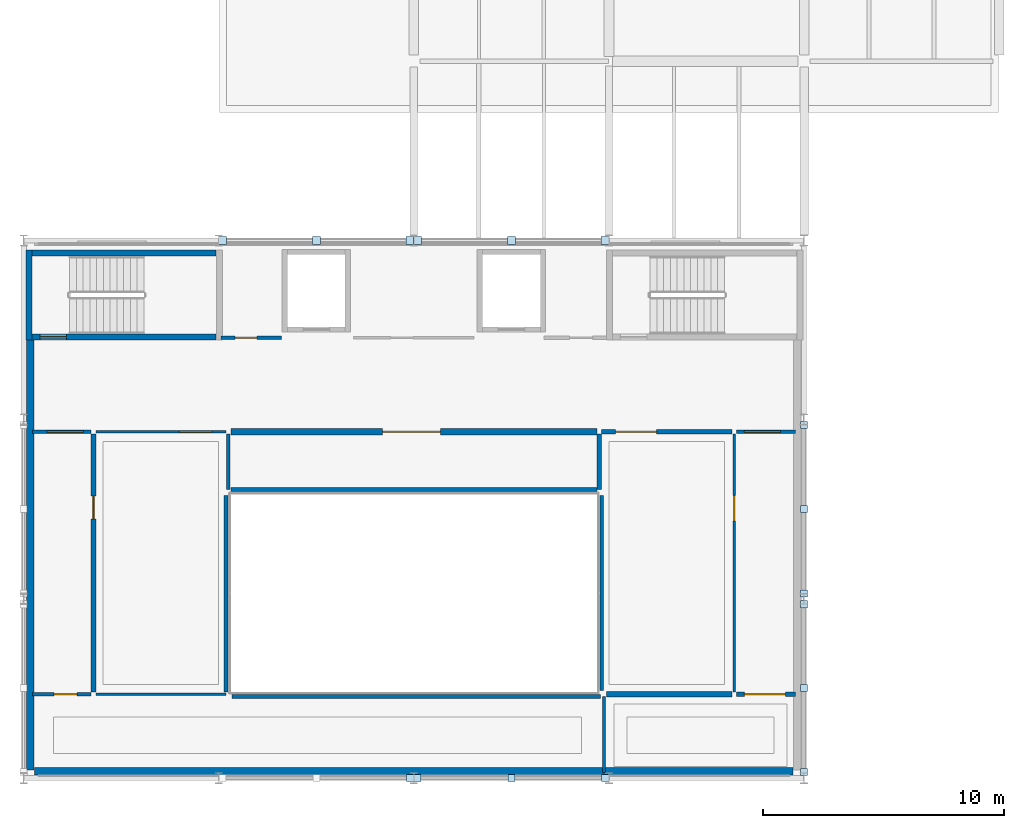
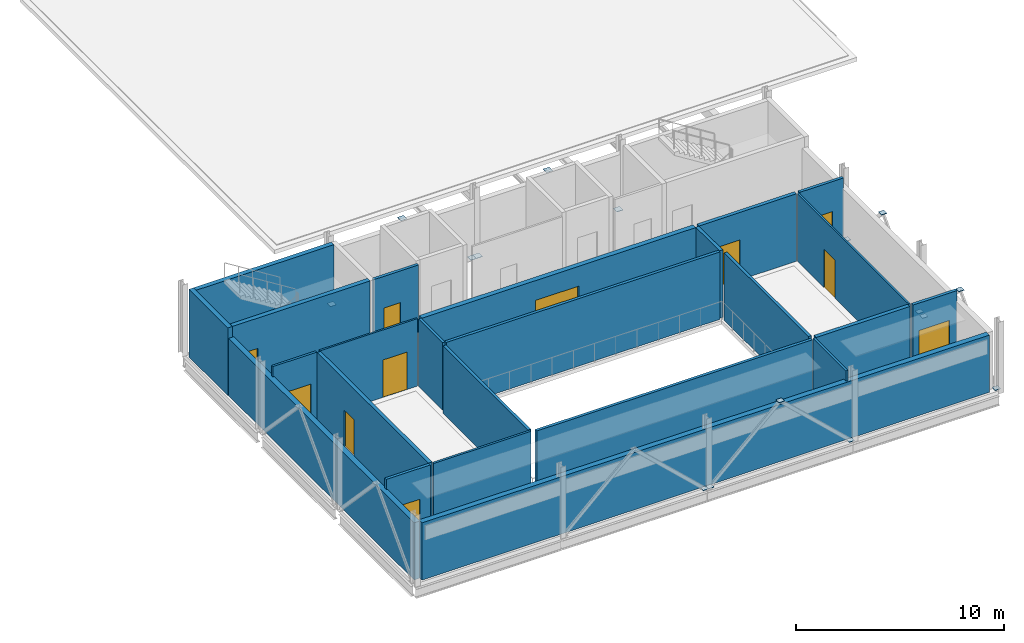
# One storey, part 3 of 7: 24 walls, 16 plates, 11 doors, 11 openings.
"""IFC4 building model written with IfcOpenShell, lengths in metres."""

from ifc_helpers import new_model, si_unit, direction, frame, frame_2d, origin, origin_2d, place, context, subcontext, project, spatial, rectangle, extrude, material, layer, layer_set, type_object, element, fill, save


model = new_model("IFC4")

# Units and contexts
model_context = context("Model", 3, precision=1e-05, world=origin(), true_north=direction((0.0, 1.0)))
body_context = subcontext(model_context, "Body", "Model", "MODEL_VIEW")
ifc_project = project(units=[si_unit("LENGTHUNIT", "METRE"), si_unit("AREAUNIT", "SQUARE_METRE"), si_unit("VOLUMEUNIT", "CUBIC_METRE"), si_unit("PLANEANGLEUNIT", "RADIAN"), si_unit("MASSUNIT", "GRAM", prefix="KILO")], contexts=[model_context])

# Site, building, storey
site_placement = place(None, origin())
site = spatial("IfcSite", under=ifc_project, at=site_placement, CompositionType="ELEMENT")
building_placement = place(site_placement, origin())
building = spatial("IfcBuilding", under=site, at=building_placement, Name="Kaelora Sail Theatre", CompositionType="ELEMENT")
storey_placement = place(building_placement, frame((0.0, 0.0, 23.39990234375)))
storey = spatial("IfcBuildingStorey", under=building, at=storey_placement, Name="L05", CompositionType="ELEMENT", Elevation=23.39990234375)

# Plates
ifc_material_1 = material(Name="Steel S355", Category="steel")
ifc_layer_1 = layer(ifc_material_1, 0.02587890625)
ifc_layer_set_1 = layer_set([ifc_layer_1], Name="Steel S355")
plate_type = type_object("IfcPlateType", Name="STR-PL-EP-26", PredefinedType="SHEET", material=ifc_layer_set_1)
for number, where, z_axis, x_axis, name in (
    (1, (58.199951171875, 61.27197265625, -0.001220703125), (0.0, 0.0, 1.0), (1.0, 0.0, 0.0), "Fly Tower chevron brace L05 ES1 end cap plate A"),
    (2, (58.199951171875, 64.762939453125, 3.675537109375), (0.0, 0.0, 1.0), (1.0, 0.0, 0.0), "Fly Tower chevron brace L05 ES1 end cap plate B"),
    (3, (58.199951171875, 68.238037109375, -0.001220703125), (0.0, 0.0, 1.0), (1.0, 0.0, 0.0), "Fly Tower chevron brace L05 ES2 end cap plate A"),
    (4, (58.199951171875, 68.681884765625, -0.001220703125), (0.0, 0.0, 1.0), (1.0, 0.0, 0.0), "Fly Tower chevron brace L05 EM1 end cap plate A"),
    (5, (58.199951171875, 72.18798828125, 3.675537109375), (0.0, 0.0, 1.0), (1.0, 0.0, 0.0), "Fly Tower chevron brace L05 EM1 end cap plate B"),
    (6, (58.199951171875, 75.677978515625, -0.001220703125), (0.0, 0.0, 1.0), (1.0, 0.0, 0.0), "Fly Tower chevron brace L05 EM2 end cap plate A"),
):
    element("IfcPlate", number, at=place(storey_placement, frame(where, z_axis=z_axis, x_axis=x_axis)), inside=storey, type_object=plate_type, Name=name, PredefinedType="SHEET", context=body_context, shape_type="SweptSolid", body=[
        extrude(rectangle(XDim=0.300048828125, YDim=0.300048828125, at=origin_2d()), origin(), (0.0, 0.0, 1.0), 0.02587890625),
    ])
for number, where, z_axis, x_axis, name in (
    (7, (34.051513671875, 83.340087890625, -0.0009765625), (0.0, 0.0, 1.0), (1.0, 0.0, 0.0), "Fly Tower north chevron brace L05 N2-1 end cap plate A"),
    (8, (37.95849609375, 83.340087890625, 3.67529296875), (0.0, 0.0, 1.0), (1.0, 0.0, 0.0), "Fly Tower north chevron brace L05 N2-1 end cap plate B"),
    (9, (41.8486328125, 83.340087890625, -0.0009765625), (0.0, 0.0, 1.0), (1.0, 0.0, 0.0), "Fly Tower north chevron brace L05 N2-2 end cap plate A"),
    (10, (42.1513671875, 83.340087890625, -0.0009765625), (0.0, 0.0, 1.0), (1.0, 0.0, 0.0), "Fly Tower north chevron brace L05 N3-1 end cap plate A"),
    (11, (46.05859375, 83.340087890625, 3.67529296875), (0.0, 0.0, 1.0), (1.0, 0.0, 0.0), "Fly Tower north chevron brace L05 N3-1 end cap plate B"),
    (12, (49.948486328125, 83.340087890625, -0.0009765625), (0.0, 0.0, 1.0), (1.0, 0.0, 0.0), "Fly Tower north chevron brace L05 N3-2 end cap plate A"),
):
    element("IfcPlate", number, at=place(storey_placement, frame(where, z_axis=z_axis, x_axis=x_axis)), inside=storey, type_object=plate_type, Name=name, PredefinedType="SHEET", context=body_context, shape_type="SweptSolid", body=[
        extrude(rectangle(XDim=0.340087890625, YDim=0.340087890625, at=origin_2d()), origin(), (0.0, 0.0, 1.0), 0.02587890625),
    ])
for number, where, z_axis, x_axis, name in (
    (13, (41.8486328125, 61.02001953125, -0.0009765625), (0.0, 0.0, 1.0), (1.0, 0.0, 0.0), "Fly Tower south stage-house chevron brace L05 S2-2 end cap plate A"),
    (14, (42.1513671875, 61.02001953125, -0.0009765625), (0.0, 0.0, 1.0), (1.0, 0.0, 0.0), "Fly Tower south stage-house chevron brace L05 S3-1 end cap plate A"),
    (15, (46.05859375, 61.02001953125, 3.67529296875), (0.0, 0.0, 1.0), (1.0, 0.0, 0.0), "Fly Tower south stage-house chevron brace L05 S3-1 end cap plate B"),
    (16, (49.948486328125, 61.02001953125, -0.0009765625), (0.0, 0.0, 1.0), (1.0, 0.0, 0.0), "Fly Tower south stage-house chevron brace L05 S3-2 end cap plate A"),
):
    element("IfcPlate", number, at=place(storey_placement, frame(where, z_axis=z_axis, x_axis=x_axis)), inside=storey, type_object=plate_type, Name=name, PredefinedType="SHEET", context=body_context, shape_type="SweptSolid", body=[
        extrude(rectangle(XDim=0.300048828125, YDim=0.300048828125, at=origin_2d()), origin(), (0.0, 0.0, 1.0), 0.02587890625),
    ])

# Wall, opening, door
ifc_material_2 = material(Name="Concrete C40/50", Category="concrete")
ifc_layer_2 = layer(ifc_material_2, 0.25)
ifc_layer_set_2 = layer_set([ifc_layer_2], Name="Concrete C40/50")
wall_type_1 = type_object("IfcWallType", Name="ARC-WL-CW-250", PredefinedType="SHEAR", material=ifc_layer_set_2)
wall_1_placement = place(storey_placement, frame((26.155029296875, 79.324951171875, 0.0), z_axis=(0.0, 0.0, 1.0), x_axis=(1.0, 0.0, 0.0)))
wall_1 = element("IfcWall", 17, at=wall_1_placement, inside=storey, type_object=wall_type_1, Name="Stair shaft ST-K1 wall L05-S", PredefinedType="SHEAR", context=body_context, shape_type="SweptSolid", body=[
    extrude(rectangle(XDim=7.639892578125, YDim=0.25, at=frame_2d((3.81982421875, 0.0))), origin(), (0.0, 0.0, 1.0), 3.97998046875),
])
opening_1_placement = place(wall_1_placement, frame((0.320068359375, 0.0, 0.0)))
opening_1 = element("IfcOpeningElement", 18, at=opening_1_placement, cuts=wall_1, Name="Opening FD-02", PredefinedType="OPENING", context=body_context, shape_type="SweptSolid", body=[
    extrude(rectangle(XDim=1.10009765625, YDim=2.199951171875, at=frame_2d((0.550048828125, 1.10009765625))), frame((0.0, 0.135, 0.0), z_axis=(0.0, -1.0, 0.0), x_axis=(1.0, 0.0, 0.0)), (0.0, 0.0, 1.0), 0.27),
])
ifc_material_3 = material(Name="Acoustic steel single stair/lobby fire door EI 90-C", Category="steel")
door_type_1 = type_object("IfcDoorType", Name="ARC-DR-FD-02", OperationType="NOTDEFINED", PredefinedType="DOOR", material=ifc_material_3)
door_1_placement = place(opening_1_placement, origin())
door_1 = element("IfcDoor", 19, at=door_1_placement, inside=storey, type_object=door_type_1, Name="Stair ST-K1 door (L05)", OperationType="SINGLE_SWING_RIGHT", OverallHeight=2.199951171875, OverallWidth=1.10009765625, PredefinedType="DOOR", context=body_context, shape_type="SweptSolid", body=[
    extrude(rectangle(XDim=1.10009765625, YDim=2.199951171875, at=frame_2d((0.550048828125, 1.10009765625))), frame((0.0, 0.02490234375, 0.0), z_axis=(0.0, -1.0, 0.0), x_axis=(1.0, 0.0, 0.0)), (0.0, 0.0, 1.0), 0.050048828125),
])
fill(opening_1, door_1)

# Walls
wall_2_placement = place(storey_placement, frame((26.155029296875, 82.824951171875, 0.0), z_axis=(0.0, 0.0, 1.0), x_axis=(1.0, 0.0, 0.0)))
element("IfcWall", 20, at=wall_2_placement, inside=storey, type_object=wall_type_1, Name="Stair shaft ST-K1 wall L05-N", PredefinedType="SHEAR", context=body_context, shape_type="SweptSolid", body=[
    extrude(rectangle(XDim=7.639892578125, YDim=0.25, at=frame_2d((3.81982421875, 0.0))), origin(), (0.0, 0.0, 1.0), 3.97998046875),
])
wall_3_placement = place(storey_placement, frame((26.02490234375, 79.199951171875, 0.0), z_axis=(0.0, 0.0, 1.0), x_axis=(0.0, 1.0, 0.0)))
element("IfcWall", 21, at=wall_3_placement, inside=storey, type_object=wall_type_1, Name="Stair shaft ST-K1 wall L05-W", PredefinedType="SHEAR", context=body_context, shape_type="SweptSolid", body=[
    extrude(rectangle(XDim=3.75, YDim=0.25, at=frame_2d((1.875, 0.0))), origin(), (0.0, 0.0, 1.0), 3.97998046875),
])
ifc_material_4 = material(Name="Concrete C40/50", Category="concrete")
ifc_layer_3 = layer(ifc_material_4, 0.300048828125)
ifc_layer_set_3 = layer_set([ifc_layer_3], Name="Concrete C40/50")
wall_type_2 = type_object("IfcWallType", Name="ARC-WL-EW-300", PredefinedType="SOLIDWALL", material=ifc_layer_set_3)
wall_4_placement = place(storey_placement, frame((26.080078125, 61.35009765625, 0.0), z_axis=(0.0, 0.0, 1.0), x_axis=(0.0, 1.0, 0.0)))
element("IfcWall", 22, at=wall_4_placement, inside=storey, type_object=wall_type_2, Name="Fly Tower West Acoustic Stage-House Wall (L05)", PredefinedType="SOLIDWALL", context=body_context, shape_type="SweptSolid", body=[
    extrude(rectangle(XDim=17.949951171875, YDim=0.300048828125, at=frame_2d((8.97509765625, 0.0))), origin(), (0.0, 0.0, 1.0), 3.360107421875),
])
wall_5_placement = place(storey_placement, frame((26.25, 61.300048828125, 0.0), z_axis=(0.0, 0.0, 1.0), x_axis=(1.0, 0.0, 0.0)))
element("IfcWall", 23, at=wall_5_placement, inside=storey, type_object=wall_type_2, Name="Fly Tower South Stage-House Wall (L05)", PredefinedType="SOLIDWALL", context=body_context, shape_type="SweptSolid", body=[
    extrude(rectangle(XDim=31.5, YDim=0.300048828125, at=frame_2d((15.75, 0.0))), origin(), (0.0, 0.0, 1.0), 3.360107421875),
])
ifc_material_5 = material(Name="Demountable acoustic studio wall 150 mm", Category="timber")
ifc_layer_4 = layer(ifc_material_5, 0.14990234375)
ifc_layer_set_4 = layer_set([ifc_layer_4], Name="Demountable acoustic studio wall 150 mm")
wall_type_3 = type_object("IfcWallType", Name="ARC-WL-MV-150", PredefinedType="MOVABLE", material=ifc_layer_set_4)
wall_6_placement = place(storey_placement, frame((34.300048828125, 73.0, 0.0), z_axis=(0.0, 0.0, 1.0), x_axis=(0.0, 1.0, 0.0)))
element("IfcWall", 24, at=wall_6_placement, inside=storey, type_object=wall_type_3, Name="Interior acoustic partition L05-FLY-CLD/L05-RIG-LAB", PredefinedType="MOVABLE", context=body_context, shape_type="SweptSolid", body=[
    extrude(rectangle(XDim=2.300048828125, YDim=0.14990234375, at=frame_2d((1.14990234375, 0.0))), origin(), (0.0, 0.0, 1.0), 3.960205078125),
])

# Wall, opening, door
ifc_material_6 = material(Name="Sanitary moisture-resistant partition 100 mm", Category="gypsum")
ifc_layer_5 = layer(ifc_material_6, 0.10009765625)
ifc_layer_set_5 = layer_set([ifc_layer_5], Name="Sanitary moisture-resistant partition 100 mm")
wall_type_4 = type_object("IfcWallType", Name="ARC-WL-PT-100", PredefinedType="PARTITIONING", material=ifc_layer_set_5)
wall_7_placement = place(storey_placement, frame((28.800048828125, 75.39990234375, 0.0), z_axis=(0.0, 0.0, 1.0), x_axis=(1.0, 0.0, 0.0)))
wall_7 = element("IfcWall", 25, at=wall_7_placement, inside=storey, type_object=wall_type_4, Name="Interior acoustic partition L05-FLY-CLD/L05-COR-FLY", PredefinedType="PARTITIONING", context=body_context, shape_type="SweptSolid", body=[
    extrude(rectangle(XDim=5.39990234375, YDim=0.10009765625, at=frame_2d((2.699951171875, 0.0))), origin(), (0.0, 0.0, 1.0), 3.960205078125),
])
opening_2_placement = place(wall_7_placement, frame((3.469970703125, 0.0, 0.0)))
opening_2 = element("IfcOpeningElement", 26, at=opening_2_placement, cuts=wall_7, Name="Opening ID-08", PredefinedType="OPENING", context=body_context, shape_type="SweptSolid", body=[
    extrude(rectangle(XDim=1.35009765625, YDim=2.199951171875, at=frame_2d((0.675048828125, 1.10009765625))), frame((0.0, 0.060049, 0.0), z_axis=(0.0, -1.0, 0.0), x_axis=(1.0, 0.0, 0.0)), (0.0, 0.0, 1.0), 0.120098),
])
ifc_material_7 = material(Name="Instrument & libretto leaf-and-a-half door", Category="steel")
door_type_2 = type_object("IfcDoorType", Name="ARC-DR-ID-08", OperationType="NOTDEFINED", PredefinedType="DOOR", material=ifc_material_7)
door_2_placement = place(opening_2_placement, origin())
door_2 = element("IfcDoor", 27, at=door_2_placement, inside=storey, type_object=door_type_2, Name="Interior door L05-FLY-CLD to L05-COR-FLY", OperationType="SINGLE_SWING_LEFT", OverallHeight=2.199951171875, OverallWidth=1.35009765625, PredefinedType="DOOR", context=body_context, shape_type="SweptSolid", body=[
    extrude(rectangle(XDim=1.35009765625, YDim=2.199951171875, at=frame_2d((0.675048828125, 1.10009765625))), frame((0.0, 0.02490234375, 0.0), z_axis=(0.0, -1.0, 0.0), x_axis=(1.0, 0.0, 0.0)), (0.0, 0.0, 1.0), 0.050048828125),
])
fill(opening_2, door_2)

wall_8_placement = place(storey_placement, frame((55.300048828125, 64.60009765625, 0.0), z_axis=(0.0, 0.0, 1.0), x_axis=(0.0, 1.0, 0.0)))
wall_8 = element("IfcWall", 28, at=wall_8_placement, inside=storey, type_object=wall_type_4, Name="Interior acoustic partition L05-FLY-CWT/L05-COR-E5", PredefinedType="PARTITIONING", context=body_context, shape_type="SweptSolid", body=[
    extrude(rectangle(XDim=10.699951171875, YDim=0.10009765625, at=frame_2d((5.35009765625, 0.0))), origin(), (0.0, 0.0, 1.0), 3.960205078125),
])
opening_3_placement = place(wall_8_placement, frame((7.095947265625, 0.0, 0.0)))
opening_3 = element("IfcOpeningElement", 29, at=opening_3_placement, cuts=wall_8, Name="Opening ID-06", PredefinedType="OPENING", context=body_context, shape_type="SweptSolid", body=[
    extrude(rectangle(XDim=1.050048828125, YDim=2.25, at=frame_2d((0.52490234375, 1.125))), frame((0.0, 0.060049, 0.0), z_axis=(0.0, -1.0, 0.0), x_axis=(1.0, 0.0, 0.0)), (0.0, 0.0, 1.0), 0.120098),
])
ifc_material_8 = material(Name="Soloist dressing acoustic timber door", Category="wood")
door_type_3 = type_object("IfcDoorType", Name="ARC-DR-ID-06", OperationType="NOTDEFINED", PredefinedType="DOOR", material=ifc_material_8)
door_3_placement = place(opening_3_placement, origin())
door_3 = element("IfcDoor", 30, at=door_3_placement, inside=storey, type_object=door_type_3, Name="Interior door L05-FLY-CWT to L05-COR-E5", OperationType="SINGLE_SWING_RIGHT", OverallHeight=2.25, OverallWidth=1.050048828125, PredefinedType="DOOR", context=body_context, shape_type="SweptSolid", body=[
    extrude(rectangle(XDim=1.050048828125, YDim=2.25, at=frame_2d((0.52490234375, 1.125))), frame((0.0, 0.02490234375, 0.0), z_axis=(0.0, -1.0, 0.0), x_axis=(1.0, 0.0, 0.0)), (0.0, 0.0, 1.0), 0.050048828125),
])
fill(opening_3, door_3)

# Wall
ifc_material_9 = material(Name="Standard metal-stud partition 120 mm", Category="gypsum")
ifc_layer_6 = layer(ifc_material_9, 0.1201171875)
ifc_layer_set_6 = layer_set([ifc_layer_6], Name="Standard metal-stud partition 120 mm")
wall_type_5 = type_object("IfcWallType", Name="ARC-WL-PT-120", PredefinedType="PARTITIONING", material=ifc_layer_set_6)
wall_9_placement = place(storey_placement, frame((28.800048828125, 64.5, 0.0), z_axis=(0.0, 0.0, 1.0), x_axis=(1.0, 0.0, 0.0)))
element("IfcWall", 31, at=wall_9_placement, inside=storey, type_object=wall_type_5, Name="Interior acoustic partition L05-FLY-CLD/L05-FLY-SOUTH", PredefinedType="PARTITIONING", context=body_context, shape_type="SweptSolid", body=[
    extrude(rectangle(XDim=5.39990234375, YDim=0.1201171875, at=frame_2d((2.699951171875, 0.0))), origin(), (0.0, 0.0, 1.0), 3.960205078125),
])

# Wall, opening, door
ifc_material_10 = material(Name="Dressing room acoustic partition 130 mm", Category="gypsum")
ifc_layer_7 = layer(ifc_material_10, 0.1298828125)
ifc_layer_set_7 = layer_set([ifc_layer_7], Name="Dressing room acoustic partition 130 mm")
wall_type_6 = type_object("IfcWallType", Name="ARC-WL-PT-130", PredefinedType="PARTITIONING", material=ifc_layer_set_7)
wall_10_placement = place(storey_placement, frame((26.159912109375, 75.39990234375, 0.0), z_axis=(0.0, 0.0, 1.0), x_axis=(1.0, 0.0, 0.0)))
wall_10 = element("IfcWall", 32, at=wall_10_placement, inside=storey, type_object=wall_type_6, Name="Interior acoustic partition L05-COR-W5/L05-COR-FLY", PredefinedType="PARTITIONING", context=body_context, shape_type="SweptSolid", body=[
    extrude(rectangle(XDim=2.440185546875, YDim=0.1298828125, at=frame_2d((1.22021484375, 0.0))), origin(), (0.0, 0.0, 1.0), 3.960205078125),
])
opening_4_placement = place(wall_10_placement, frame((0.6201171875, 0.0, 0.0)))
opening_4 = element("IfcOpeningElement", 33, at=opening_4_placement, cuts=wall_10, Name="Opening FD-01", PredefinedType="OPENING", context=body_context, shape_type="SweptSolid", body=[
    extrude(rectangle(XDim=1.5, YDim=2.199951171875, at=frame_2d((0.75, 1.10009765625))), frame((0.0, 0.074941, 0.0), z_axis=(0.0, -1.0, 0.0), x_axis=(1.0, 0.0, 0.0)), (0.0, 0.0, 1.0), 0.149883),
])
ifc_material_11 = material(Name="Acoustic steel double fire door EI 90-C", Category="steel")
door_type_4 = type_object("IfcDoorType", Name="ARC-DR-FD-01", OperationType="NOTDEFINED", PredefinedType="DOOR", material=ifc_material_11)
door_4_placement = place(opening_4_placement, origin())
door_4 = element("IfcDoor", 34, at=door_4_placement, inside=storey, type_object=door_type_4, Name="Interior door L05-COR-W5 to L05-COR-FLY", OperationType="DOUBLE_DOOR_SINGLE_SWING", OverallHeight=2.199951171875, OverallWidth=1.5, PredefinedType="DOOR", context=body_context, shape_type="SweptSolid", body=[
    extrude(rectangle(XDim=1.5, YDim=2.199951171875, at=frame_2d((0.75, 1.10009765625))), frame((0.0, 0.02490234375, 0.0), z_axis=(0.0, -1.0, 0.0), x_axis=(1.0, 0.0, 0.0)), (0.0, 0.0, 1.0), 0.050048828125),
])
fill(opening_4, door_4)

# Wall
wall_11_placement = place(storey_placement, frame((49.89990234375, 61.25, 0.0), z_axis=(0.0, 0.0, 1.0), x_axis=(0.0, 1.0, 0.0)))
element("IfcWall", 35, at=wall_11_placement, inside=storey, type_object=wall_type_6, Name="Interior acoustic partition L05-FLY-SOUTH/L05-FLY-DIM", PredefinedType="PARTITIONING", context=body_context, shape_type="SweptSolid", body=[
    extrude(rectangle(XDim=3.14990234375, YDim=0.1298828125, at=frame_2d((1.574951171875, 0.0))), origin(), (0.0, 0.0, 1.0), 3.960205078125),
])

# Wall, opening, door
ifc_material_12 = material(Name="Acoustic metal-stud plasterboard 160 mm", Category="gypsum")
ifc_layer_8 = layer(ifc_material_12, 0.159912109375)
ifc_layer_set_8 = layer_set([ifc_layer_8], Name="Acoustic metal-stud plasterboard 160 mm")
wall_type_7 = type_object("IfcWallType", Name="ARC-WL-PT-160", PredefinedType="PARTITIONING", material=ifc_layer_set_8)
wall_12_placement = place(storey_placement, frame((26.159912109375, 64.5, 0.0), z_axis=(0.0, 0.0, 1.0), x_axis=(1.0, 0.0, 0.0)))
wall_12 = element("IfcWall", 36, at=wall_12_placement, inside=storey, type_object=wall_type_7, Name="Interior acoustic partition L05-COR-W5/L05-FLY-SOUTH", PredefinedType="PARTITIONING", context=body_context, shape_type="SweptSolid", body=[
    extrude(rectangle(XDim=2.440185546875, YDim=0.159912109375, at=frame_2d((1.22021484375, 0.0))), origin(), (0.0, 0.0, 1.0), 3.960205078125),
])
opening_5_placement = place(wall_12_placement, frame((0.909912109375, 0.0, 0.0)))
opening_5 = element("IfcOpeningElement", 37, at=opening_5_placement, cuts=wall_12, Name="Opening ID-02", PredefinedType="OPENING", context=body_context, shape_type="SweptSolid", body=[
    extrude(rectangle(XDim=0.949951171875, YDim=2.14990234375, at=frame_2d((0.47509765625, 1.074951171875))), frame((0.0, 0.090078, 0.0), z_axis=(0.0, -1.0, 0.0), x_axis=(1.0, 0.0, 0.0)), (0.0, 0.0, 1.0), 0.179912),
])
ifc_material_13 = material(Name="Timber dressing and office single door", Category="wood")
door_type_5 = type_object("IfcDoorType", Name="ARC-DR-ID-02", OperationType="NOTDEFINED", PredefinedType="DOOR", material=ifc_material_13)
door_5_placement = place(opening_5_placement, origin())
door_5 = element("IfcDoor", 38, at=door_5_placement, inside=storey, type_object=door_type_5, Name="Interior door L05-COR-W5 to L05-FLY-SOUTH", OperationType="SINGLE_SWING_LEFT", OverallHeight=2.14990234375, OverallWidth=0.949951171875, PredefinedType="DOOR", context=body_context, shape_type="SweptSolid", body=[
    extrude(rectangle(XDim=0.949951171875, YDim=2.14990234375, at=frame_2d((0.47509765625, 1.074951171875))), frame((0.0, 0.02490234375, 0.0), z_axis=(0.0, -1.0, 0.0), x_axis=(1.0, 0.0, 0.0)), (0.0, 0.0, 1.0), 0.050048828125),
])
fill(opening_5, door_5)

wall_13_placement = place(storey_placement, frame((55.39990234375, 75.39990234375, 0.0), z_axis=(0.0, 0.0, 1.0), x_axis=(1.0, 0.0, 0.0)))
wall_13 = element("IfcWall", 39, at=wall_13_placement, inside=storey, type_object=wall_type_7, Name="Interior acoustic partition L05-COR-E5/L05-COR-FLY", PredefinedType="PARTITIONING", context=body_context, shape_type="SweptSolid", body=[
    extrude(rectangle(XDim=2.440185546875, YDim=0.159912109375, at=frame_2d((1.22021484375, 0.0))), origin(), (0.0, 0.0, 1.0), 3.960205078125),
])
opening_6_placement = place(wall_13_placement, frame((0.320068359375, 0.0, 0.0)))
opening_6 = element("IfcOpeningElement", 40, at=opening_6_placement, cuts=wall_13, Name="Opening FD-01", PredefinedType="OPENING", context=body_context, shape_type="SweptSolid", body=[
    extrude(rectangle(XDim=1.5, YDim=2.199951171875, at=frame_2d((0.75, 1.10009765625))), frame((0.0, 0.090078, 0.0), z_axis=(0.0, -1.0, 0.0), x_axis=(1.0, 0.0, 0.0)), (0.0, 0.0, 1.0), 0.179912),
])
door_6_placement = place(opening_6_placement, origin())
door_6 = element("IfcDoor", 41, at=door_6_placement, inside=storey, type_object=door_type_4, Name="Interior door L05-COR-E5 to L05-COR-FLY", OperationType="DOUBLE_DOOR_SINGLE_SWING", OverallHeight=2.199951171875, OverallWidth=1.5, PredefinedType="DOOR", context=body_context, shape_type="SweptSolid", body=[
    extrude(rectangle(XDim=1.5, YDim=2.199951171875, at=frame_2d((0.75, 1.10009765625))), frame((0.0, 0.02490234375, 0.0), z_axis=(0.0, -1.0, 0.0), x_axis=(1.0, 0.0, 0.0)), (0.0, 0.0, 1.0), 0.050048828125),
])
fill(opening_6, door_6)

wall_14_placement = place(storey_placement, frame((34.0, 79.300048828125, 0.0), z_axis=(0.0, 0.0, 1.0), x_axis=(1.0, 0.0, 0.0)))
wall_14 = element("IfcWall", 42, at=wall_14_placement, inside=storey, type_object=wall_type_7, Name="Interior acoustic partition L05-COR-FLY/L05-CUE-OFC", PredefinedType="PARTITIONING", context=body_context, shape_type="SweptSolid", body=[
    extrude(rectangle(XDim=2.5, YDim=0.159912109375, at=frame_2d((1.25, 0.0))), origin(), (0.0, 0.0, 1.0), 3.960205078125),
])
opening_7_placement = place(wall_14_placement, frame((0.580078125, 0.0, 0.0)))
opening_7 = element("IfcOpeningElement", 43, at=opening_7_placement, cuts=wall_14, Name="Opening ID-03", PredefinedType="OPENING", context=body_context, shape_type="SweptSolid", body=[
    extrude(rectangle(XDim=0.89990234375, YDim=2.10009765625, at=frame_2d((0.449951171875, 1.050048828125))), frame((0.0, 0.090078, 0.0), z_axis=(0.0, -1.0, 0.0), x_axis=(1.0, 0.0, 0.0)), (0.0, 0.0, 1.0), 0.179912),
])
ifc_material_14 = material(Name="Accessible sanitary laminate door", Category="timber")
door_type_6 = type_object("IfcDoorType", Name="ARC-DR-ID-03", OperationType="NOTDEFINED", PredefinedType="DOOR", material=ifc_material_14)
door_7_placement = place(opening_7_placement, origin())
door_7 = element("IfcDoor", 44, at=door_7_placement, inside=storey, type_object=door_type_6, Name="Interior door L05-COR-FLY to L05-CUE-OFC", OperationType="SINGLE_SWING_RIGHT", OverallHeight=2.10009765625, OverallWidth=0.89990234375, PredefinedType="DOOR", context=body_context, shape_type="SweptSolid", body=[
    extrude(rectangle(XDim=0.89990234375, YDim=2.10009765625, at=frame_2d((0.449951171875, 1.050048828125))), frame((0.0, 0.02490234375, 0.0), z_axis=(0.0, -1.0, 0.0), x_axis=(1.0, 0.0, 0.0)), (0.0, 0.0, 1.0), 0.050048828125),
])
fill(opening_7, door_7)

# Walls
wall_15_placement = place(storey_placement, frame((34.199951171875, 64.60009765625, 0.0), z_axis=(0.0, 0.0, 1.0), x_axis=(0.0, 1.0, 0.0)))
element("IfcWall", 45, at=wall_15_placement, inside=storey, type_object=wall_type_7, Name="Room enclosure wall L05-FLY-CLD-E1", PredefinedType="PARTITIONING", context=body_context, shape_type="SweptSolid", body=[
    extrude(rectangle(XDim=8.14990234375, YDim=0.159912109375, at=frame_2d((4.074951171875, 0.0))), origin(), (0.0, 0.0, 1.0), 3.960205078125),
])
wall_16_placement = place(storey_placement, frame((49.800048828125, 64.64990234375, 0.0), z_axis=(0.0, 0.0, 1.0), x_axis=(0.0, 1.0, 0.0)))
element("IfcWall", 46, at=wall_16_placement, inside=storey, type_object=wall_type_7, Name="Room enclosure wall L05-FLY-CWT-W1", PredefinedType="PARTITIONING", context=body_context, shape_type="SweptSolid", body=[
    extrude(rectangle(XDim=8.10009765625, YDim=0.159912109375, at=frame_2d((4.050048828125, 0.0))), origin(), (0.0, 0.0, 1.0), 3.960205078125),
])
wall_17_placement = place(storey_placement, frame((34.449951171875, 64.39990234375, 0.0), z_axis=(0.0, 0.0, 1.0), x_axis=(1.0, 0.0, 0.0)))
element("IfcWall", 47, at=wall_17_placement, inside=storey, type_object=wall_type_7, Name="Room enclosure wall L05-FLY-SOUTH-N1", PredefinedType="PARTITIONING", context=body_context, shape_type="SweptSolid", body=[
    extrude(rectangle(XDim=15.300048828125, YDim=0.159912109375, at=frame_2d((7.64990234375, 0.0))), origin(), (0.0, 0.0, 1.0), 3.960205078125),
])
wall_18_placement = place(storey_placement, frame((34.39990234375, 73.0, 0.0), z_axis=(0.0, 0.0, 1.0), x_axis=(1.0, 0.0, 0.0)))
element("IfcWall", 48, at=wall_18_placement, inside=storey, type_object=wall_type_7, Name="Room enclosure wall L05-RIG-LAB-S1", PredefinedType="PARTITIONING", context=body_context, shape_type="SweptSolid", body=[
    extrude(rectangle(XDim=15.2001953125, YDim=0.159912109375, at=frame_2d((7.60009765625, 0.0))), origin(), (0.0, 0.0, 1.0), 3.960205078125),
])

# Wall, opening, door
ifc_material_15 = material(Name="Workshop acoustic stud partition 170 mm", Category="gypsum")
ifc_layer_9 = layer(ifc_material_15, 0.169921875)
ifc_layer_set_9 = layer_set([ifc_layer_9], Name="Workshop acoustic stud partition 170 mm")
wall_type_8 = type_object("IfcWallType", Name="ARC-WL-PT-170", PredefinedType="PARTITIONING", material=ifc_layer_set_9)
wall_19_placement = place(storey_placement, frame((55.39990234375, 64.5, 0.0), z_axis=(0.0, 0.0, 1.0), x_axis=(1.0, 0.0, 0.0)))
wall_19 = element("IfcWall", 49, at=wall_19_placement, inside=storey, type_object=wall_type_8, Name="Interior acoustic partition L05-COR-E5/L05-FLY-DIM", PredefinedType="PARTITIONING", context=body_context, shape_type="SweptSolid", body=[
    extrude(rectangle(XDim=2.440185546875, YDim=0.169921875, at=frame_2d((1.22021484375, 0.0))), origin(), (0.0, 0.0, 1.0), 3.960205078125),
])
opening_8_placement = place(wall_19_placement, frame((0.320068359375, 0.0, 0.0)))
opening_8 = element("IfcOpeningElement", 50, at=opening_8_placement, cuts=wall_19, Name="Opening ID-09", PredefinedType="OPENING", context=body_context, shape_type="SweptSolid", body=[
    extrude(rectangle(XDim=1.699951171875, YDim=2.35009765625, at=frame_2d((0.85009765625, 1.175048828125))), frame((0.0, 0.094961, 0.0), z_axis=(0.0, -1.0, 0.0), x_axis=(1.0, 0.0, 0.0)), (0.0, 0.0, 1.0), 0.189922),
])
ifc_material_16 = material(Name="Ballet studio acoustic double door", Category="steel")
door_type_7 = type_object("IfcDoorType", Name="ARC-DR-ID-09", OperationType="NOTDEFINED", PredefinedType="DOOR", material=ifc_material_16)
door_8_placement = place(opening_8_placement, origin())
door_8 = element("IfcDoor", 51, at=door_8_placement, inside=storey, type_object=door_type_7, Name="Interior door L05-COR-E5 to L05-FLY-DIM", OperationType="DOUBLE_DOOR_SINGLE_SWING", OverallHeight=2.35009765625, OverallWidth=1.699951171875, PredefinedType="DOOR", context=body_context, shape_type="SweptSolid", body=[
    extrude(rectangle(XDim=1.699951171875, YDim=2.35009765625, at=frame_2d((0.85009765625, 1.175048828125))), frame((0.0, 0.02490234375, 0.0), z_axis=(0.0, -1.0, 0.0), x_axis=(1.0, 0.0, 0.0)), (0.0, 0.0, 1.0), 0.050048828125),
])
fill(opening_8, door_8)

# Wall
ifc_material_17 = material(Name="Rehearsal double-stud partition 185 mm", Category="gypsum")
ifc_layer_10 = layer(ifc_material_17, 0.18505859375)
ifc_layer_set_10 = layer_set([ifc_layer_10], Name="Rehearsal double-stud partition 185 mm")
wall_type_9 = type_object("IfcWallType", Name="ARC-WL-PT-185", PredefinedType="PARTITIONING", material=ifc_layer_set_10)
wall_20_placement = place(storey_placement, frame((49.699951171875, 73.0, 0.0), z_axis=(0.0, 0.0, 1.0), x_axis=(0.0, 1.0, 0.0)))
element("IfcWall", 52, at=wall_20_placement, inside=storey, type_object=wall_type_9, Name="Interior acoustic partition L05-FLY-CWT/L05-RIG-LAB", PredefinedType="PARTITIONING", context=body_context, shape_type="SweptSolid", body=[
    extrude(rectangle(XDim=2.300048828125, YDim=0.18505859375, at=frame_2d((1.14990234375, 0.0))), origin(), (0.0, 0.0, 1.0), 3.960205078125),
])

# Wall, opening, door
ifc_material_18 = material(Name="Acoustic double-stud plasterboard 200 mm", Category="gypsum")
ifc_layer_11 = layer(ifc_material_18, 0.199951171875)
ifc_layer_set_11 = layer_set([ifc_layer_11], Name="Acoustic double-stud plasterboard 200 mm")
wall_type_10 = type_object("IfcWallType", Name="ARC-WL-PT-200", PredefinedType="PARTITIONING", material=ifc_layer_set_11)
wall_21_placement = place(storey_placement, frame((28.699951171875, 64.60009765625, 0.0), z_axis=(0.0, 0.0, 1.0), x_axis=(0.0, 1.0, 0.0)))
wall_21 = element("IfcWall", 53, at=wall_21_placement, inside=storey, type_object=wall_type_10, Name="Interior acoustic partition L05-COR-W5/L05-FLY-CLD", PredefinedType="PARTITIONING", context=body_context, shape_type="SweptSolid", body=[
    extrude(rectangle(XDim=10.699951171875, YDim=0.199951171875, at=frame_2d((5.35009765625, 0.0))), origin(), (0.0, 0.0, 1.0), 3.960205078125),
])
opening_9_placement = place(wall_21_placement, frame((7.172119140625, 0.0, 0.0)))
opening_9 = element("IfcOpeningElement", 54, at=opening_9_placement, cuts=wall_21, Name="Opening ID-02", PredefinedType="OPENING", context=body_context, shape_type="SweptSolid", body=[
    extrude(rectangle(XDim=0.949951171875, YDim=2.14990234375, at=frame_2d((0.47509765625, 1.074951171875))), frame((0.0, 0.110098, 0.0), z_axis=(0.0, -1.0, 0.0), x_axis=(1.0, 0.0, 0.0)), (0.0, 0.0, 1.0), 0.219951),
])
door_9_placement = place(opening_9_placement, origin())
door_9 = element("IfcDoor", 55, at=door_9_placement, inside=storey, type_object=door_type_5, Name="Interior door L05-COR-W5 to L05-FLY-CLD", OperationType="SINGLE_SWING_RIGHT", OverallHeight=2.14990234375, OverallWidth=0.949951171875, PredefinedType="DOOR", context=body_context, shape_type="SweptSolid", body=[
    extrude(rectangle(XDim=0.949951171875, YDim=2.14990234375, at=frame_2d((0.47509765625, 1.074951171875))), frame((0.0, 0.02490234375, 0.0), z_axis=(0.0, -1.0, 0.0), x_axis=(1.0, 0.0, 0.0)), (0.0, 0.0, 1.0), 0.050048828125),
])
fill(opening_9, door_9)

wall_22_placement = place(storey_placement, frame((49.800048828125, 75.39990234375, 0.0), z_axis=(0.0, 0.0, 1.0), x_axis=(1.0, 0.0, 0.0)))
wall_22 = element("IfcWall", 56, at=wall_22_placement, inside=storey, type_object=wall_type_10, Name="Interior acoustic partition L05-FLY-CWT/L05-COR-FLY", PredefinedType="PARTITIONING", context=body_context, shape_type="SweptSolid", body=[
    extrude(rectangle(XDim=5.39990234375, YDim=0.199951171875, at=frame_2d((2.699951171875, 0.0))), origin(), (0.0, 0.0, 1.0), 3.960205078125),
])
opening_10_placement = place(wall_22_placement, frame((0.580078125, 0.0, 0.0)))
opening_10 = element("IfcOpeningElement", 57, at=opening_10_placement, cuts=wall_22, Name="Opening ID-09", PredefinedType="OPENING", context=body_context, shape_type="SweptSolid", body=[
    extrude(rectangle(XDim=1.699951171875, YDim=2.35009765625, at=frame_2d((0.85009765625, 1.175048828125))), frame((0.0, 0.110098, 0.0), z_axis=(0.0, -1.0, 0.0), x_axis=(1.0, 0.0, 0.0)), (0.0, 0.0, 1.0), 0.219951),
])
door_10_placement = place(opening_10_placement, origin())
door_10 = element("IfcDoor", 58, at=door_10_placement, inside=storey, type_object=door_type_7, Name="Interior door L05-FLY-CWT to L05-COR-FLY", OperationType="DOUBLE_DOOR_SINGLE_SWING", OverallHeight=2.35009765625, OverallWidth=1.699951171875, PredefinedType="DOOR", context=body_context, shape_type="SweptSolid", body=[
    extrude(rectangle(XDim=1.699951171875, YDim=2.35009765625, at=frame_2d((0.85009765625, 1.175048828125))), frame((0.0, 0.02490234375, 0.0), z_axis=(0.0, -1.0, 0.0), x_axis=(1.0, 0.0, 0.0)), (0.0, 0.0, 1.0), 0.050048828125),
])
fill(opening_10, door_10)

# Wall
ifc_material_19 = material(Name="Studio box-in-box acoustic partition 215 mm", Category="gypsum")
ifc_layer_12 = layer(ifc_material_19, 0.215087890625)
ifc_layer_set_12 = layer_set([ifc_layer_12], Name="Studio box-in-box acoustic partition 215 mm")
wall_type_11 = type_object("IfcWallType", Name="ARC-WL-PT-215", PredefinedType="PARTITIONING", material=ifc_layer_set_12)
wall_23_placement = place(storey_placement, frame((50.0, 64.5, 0.0), z_axis=(0.0, 0.0, 1.0), x_axis=(1.0, 0.0, 0.0)))
element("IfcWall", 59, at=wall_23_placement, inside=storey, type_object=wall_type_11, Name="Interior acoustic partition L05-FLY-CWT/L05-FLY-DIM", PredefinedType="PARTITIONING", context=body_context, shape_type="SweptSolid", body=[
    extrude(rectangle(XDim=5.199951171875, YDim=0.215087890625, at=frame_2d((2.60009765625, 0.0))), origin(), (0.0, 0.0, 1.0), 3.960205078125),
])

# Wall, opening, door
ifc_material_20 = material(Name="Concrete C45/55", Category="concrete")
ifc_layer_13 = layer(ifc_material_20, 0.27001953125)
ifc_layer_set_13 = layer_set([ifc_layer_13], Name="Concrete C45/55")
wall_type_12 = type_object("IfcWallType", Name="ARC-WL-PW-270", PredefinedType="SOLIDWALL", material=ifc_layer_set_13)
wall_24_placement = place(storey_placement, frame((34.39990234375, 75.39990234375, 0.0), z_axis=(0.0, 0.0, 1.0), x_axis=(1.0, 0.0, 0.0)))
wall_24 = element("IfcWall", 60, at=wall_24_placement, inside=storey, type_object=wall_type_12, Name="Interior acoustic partition L05-COR-FLY/L05-RIG-LAB", PredefinedType="SOLIDWALL", context=body_context, shape_type="SweptSolid", body=[
    extrude(rectangle(XDim=15.2001953125, YDim=0.27001953125, at=frame_2d((7.60009765625, 0.0))), origin(), (0.0, 0.0, 1.0), 3.960205078125),
])
opening_11_placement = place(wall_24_placement, frame((6.301025390625, 0.0, 0.0)))
opening_11 = element("IfcOpeningElement", 61, at=opening_11_placement, cuts=wall_24, Name="Opening ID-05", PredefinedType="OPENING", context=body_context, shape_type="SweptSolid", body=[
    extrude(rectangle(XDim=2.39990234375, YDim=2.800048828125, at=frame_2d((1.199951171875, 1.39990234375))), frame((0.0, 0.14501, 0.0), z_axis=(0.0, -1.0, 0.0), x_axis=(1.0, 0.0, 0.0)), (0.0, 0.0, 1.0), 0.29002),
])
ifc_material_21 = material(Name="Scenery workshop oversize acoustic double door", Category="steel")
door_type_8 = type_object("IfcDoorType", Name="ARC-DR-ID-05", OperationType="NOTDEFINED", PredefinedType="DOOR", material=ifc_material_21)
door_11_placement = place(opening_11_placement, origin())
door_11 = element("IfcDoor", 62, at=door_11_placement, inside=storey, type_object=door_type_8, Name="Interior door L05-COR-FLY to L05-RIG-LAB", OperationType="DOUBLE_DOOR_SINGLE_SWING", OverallHeight=2.800048828125, OverallWidth=2.39990234375, PredefinedType="DOOR", context=body_context, shape_type="SweptSolid", body=[
    extrude(rectangle(XDim=2.39990234375, YDim=2.800048828125, at=frame_2d((1.199951171875, 1.39990234375))), frame((0.0, 0.02490234375, 0.0), z_axis=(0.0, -1.0, 0.0), x_axis=(1.0, 0.0, 0.0)), (0.0, 0.0, 1.0), 0.050048828125),
])
fill(opening_11, door_11)

save(model, "model.ifc")
